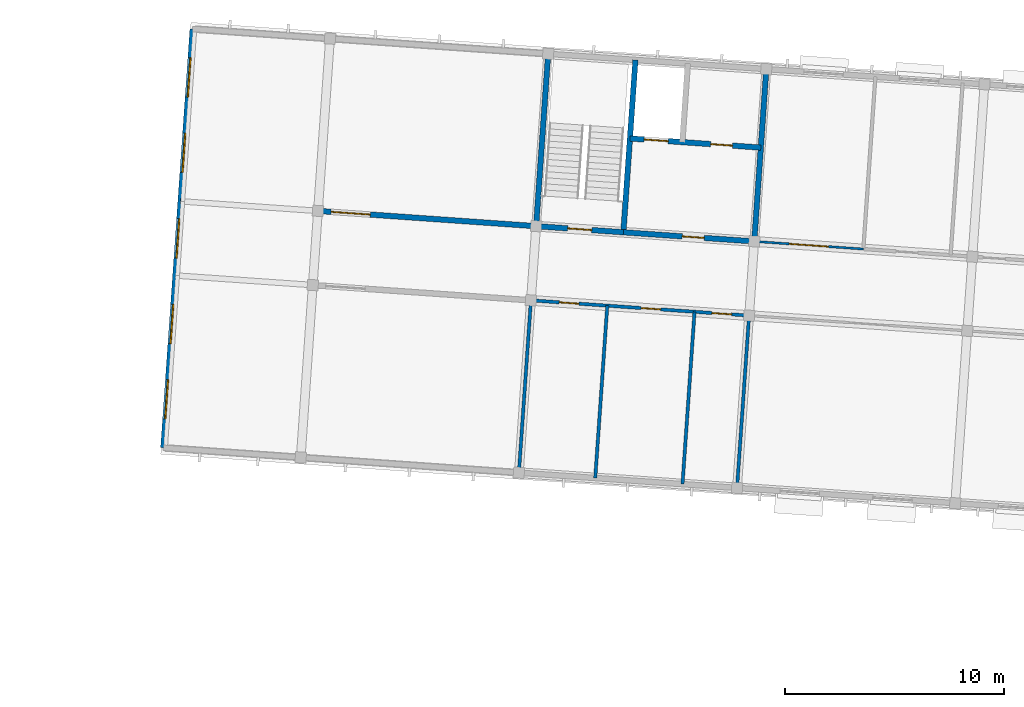
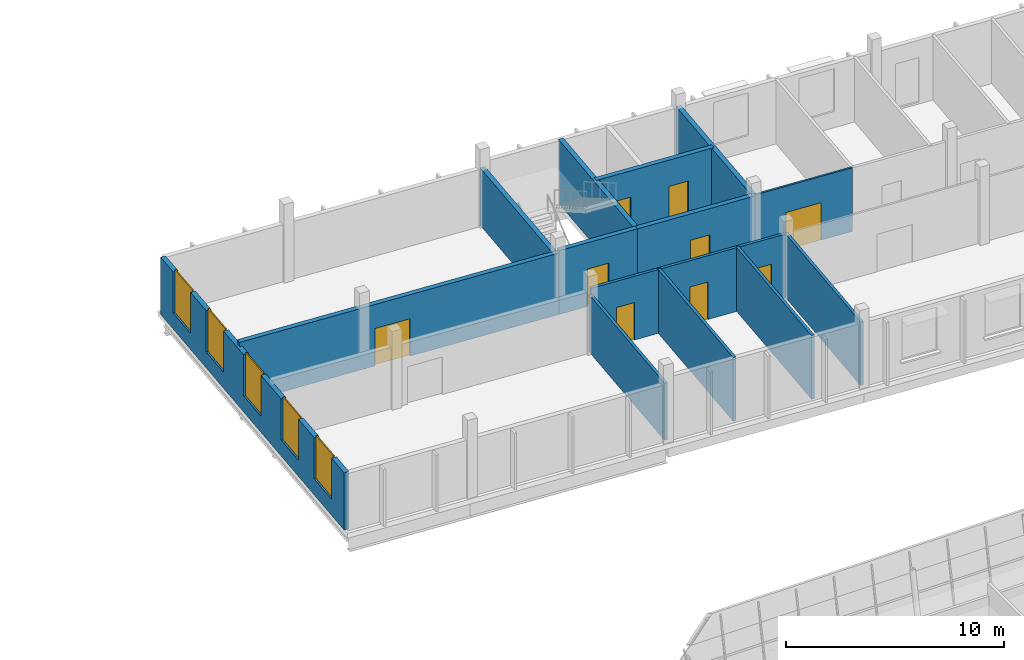
# One storey, part 54 of 95: 14 walls, 9 doors, 5 windows, 14 openings.
"""IFC4 building model written with IfcOpenShell, lengths in metres."""

from ifc_helpers import new_model, si_unit, direction, frame, frame_2d, origin, place, context, subcontext, project, spatial, rectangle, extrude, material, layer, layer_set, type_object, element, fill, save


model = new_model("IFC4")

# Units and contexts
model_context = context("Model", 3, precision=1e-05, world=origin(), true_north=direction((0.0, 1.0)))
body_context = subcontext(model_context, "Body", "Model", "MODEL_VIEW")
ifc_project = project(units=[si_unit("LENGTHUNIT", "METRE"), si_unit("AREAUNIT", "SQUARE_METRE"), si_unit("VOLUMEUNIT", "CUBIC_METRE"), si_unit("PLANEANGLEUNIT", "RADIAN"), si_unit("MASSUNIT", "GRAM", prefix="KILO")], contexts=[model_context])

# Site, building, storey
site_placement = place(None, origin())
site = spatial("IfcSite", under=ifc_project, at=site_placement, CompositionType="ELEMENT")
building_placement = place(site_placement, origin())
building = spatial("IfcBuilding", under=site, at=building_placement, Name="Windward Yard Aquatics Centre", CompositionType="ELEMENT")
storey_placement = place(building_placement, frame((0.0, 0.0, 9.39990234375)))
storey = spatial("IfcBuildingStorey", under=building, at=storey_placement, Name="L02", CompositionType="ELEMENT", Elevation=9.39990234375)

# Walls
ifc_material_1 = material(Name="Concrete C40/50", Category="concrete")
ifc_layer_1 = layer(ifc_material_1, 0.25)
ifc_layer_set_1 = layer_set([ifc_layer_1], Name="W RC core wall 250 Concrete C40/50")
wall_type_1 = type_object("IfcWallType", Name="W RC core wall 250 Concrete C40/50", PredefinedType="SOLIDWALL", material=ifc_layer_set_1)
wall_1_placement = place(storey_placement, frame((118.627197265625, 127.43994140625, 0.0), z_axis=(0.0, 0.0, 1.0), x_axis=(0.0697491702, 0.997564560947, 0.0)))
element("IfcWall", 1, at=wall_1_placement, inside=storey, type_object=wall_type_1, Name="W.WL.L02.002", PredefinedType="SOLIDWALL", context=body_context, shape_type="SweptSolid", body=[
    extrude(rectangle(XDim=7.900146484375, YDim=0.25, at=frame_2d((3.9501953125, 0.0))), origin(), (0.0, 0.0, 1.0), 3.2060546875),
])
for number, where, z_axis, x_axis, name in (
    (2, (122.617431640625, 127.160888671875, 0.0), (0.0, 0.0, 1.0), (0.0697491702, 0.997564560947, 0.0), "W.WL.L02.004"),
    (3, (128.602783203125, 126.742431640625, 0.0), (0.0, 0.0, 1.0), (0.0697491702, 0.997564560947, 0.0), "W.WL.L02.008"),
):
    element("IfcWall", number, at=place(storey_placement, frame(where, z_axis=z_axis, x_axis=x_axis)), inside=storey, type_object=wall_type_1, Name=name, PredefinedType="SOLIDWALL", context=body_context, shape_type="SweptSolid", body=[
        extrude(rectangle(XDim=7.900146484375, YDim=0.25, at=frame_2d((3.9501953125, 0.0))), origin(), (0.0, 0.0, 1.0), 3.570068359375),
    ])

# Wall, opening, door
wall_2_placement = place(storey_placement, frame((102.36669921875, 128.576904296875, 0.0), z_axis=(0.0, 0.0, 1.0), x_axis=(0.997564399877, -0.069751473811, 0.0)))
wall_2 = element("IfcWall", 4, at=wall_2_placement, inside=storey, type_object=wall_type_1, Name="W.WL.L02.024", PredefinedType="PARTITIONING", context=body_context, shape_type="SweptSolid", body=[
    extrude(rectangle(XDim=16.30029296875, YDim=0.25, at=frame_2d((8.150146484375, 0.0))), origin(), (0.0, 0.0, 1.0), 3.442138671875),
])
opening_1_placement = place(wall_2_placement, frame((6.89990234375, 0.0, 0.0)))
opening_1 = element("IfcOpeningElement", 5, at=opening_1_placement, cuts=wall_2, Name="Opening W2002", PredefinedType="OPENING", context=body_context, shape_type="SweptSolid", body=[
    extrude(rectangle(XDim=1.800048828125, YDim=2.10009765625, at=frame_2d((0.89990234375, 1.050048828125))), frame((0.0, 0.135009765625, 0.0), z_axis=(0.0, -1.0, 0.0), x_axis=(1.0, 0.0, 0.0)), (0.0, 0.0, 1.0), 0.27001953125),
])
ifc_material_2 = material(Name="Timber door leaf", Category="wood")
door_type_1 = type_object("IfcDoorType", Name="W double door 1800x2100", OperationType="DOUBLE_DOOR_SINGLE_SWING", PredefinedType="DOOR", material=ifc_material_2)
door_1_placement = place(opening_1_placement, origin())
door_1 = element("IfcDoor", 6, at=door_1_placement, inside=storey, type_object=door_type_1, Name="W.DRI.L02.002", OperationType="DOUBLE_DOOR_SINGLE_SWING", OverallHeight=2.10009765625, OverallWidth=1.800048828125, PredefinedType="DOOR", context=body_context, shape_type="SweptSolid", body=[
    extrude(rectangle(XDim=1.800048828125, YDim=2.10009765625, at=frame_2d((0.89990234375, 1.050048828125))), frame((0.0, 0.02490234375, 0.0), z_axis=(0.0, -1.0, 0.0), x_axis=(1.0, 0.0, 0.0)), (0.0, 0.0, 1.0), 0.050048828125),
])
fill(opening_1, door_1)

wall_3_placement = place(storey_placement, frame((118.627197265625, 127.43994140625, 0.0), z_axis=(0.0, 0.0, 1.0), x_axis=(0.997563556766, -0.069763530677, 0.0)))
wall_3 = element("IfcWall", 7, at=wall_3_placement, inside=storey, type_object=wall_type_1, Name="W.WL.L02.025", PredefinedType="SOLIDWALL", context=body_context, shape_type="SweptSolid", body=[
    extrude(rectangle(XDim=4.0, YDim=0.25, at=frame_2d((2.0, 0.0))), origin(), (0.0, 0.0, 1.0), 3.570068359375),
])
opening_2_placement = place(wall_3_placement, frame((1.449951171875, 0.0, 0.0)))
opening_2 = element("IfcOpeningElement", 8, at=opening_2_placement, cuts=wall_3, Name="Opening W2016", PredefinedType="OPENING", context=body_context, shape_type="SweptSolid", body=[
    extrude(rectangle(XDim=1.10009765625, YDim=2.10009765625, at=frame_2d((0.550048828125, 1.050048828125))), frame((0.0, 0.135009765625, 0.0), z_axis=(0.0, -1.0, 0.0), x_axis=(1.0, 0.0, 0.0)), (0.0, 0.0, 1.0), 0.27001953125),
])
ifc_material_3 = material(Name="Steel fire door leaf", Category="steel")
door_type_2 = type_object("IfcDoorType", Name="W stair door FD60 1100x2100", OperationType="SINGLE_SWING_LEFT", PredefinedType="DOOR", material=ifc_material_3)
door_2_placement = place(opening_2_placement, origin())
door_2 = element("IfcDoor", 9, at=door_2_placement, inside=storey, type_object=door_type_2, Name="W.DRI.L02.016", OperationType="SINGLE_SWING_RIGHT", OverallHeight=2.10009765625, OverallWidth=1.10009765625, PredefinedType="DOOR", context=body_context, shape_type="SweptSolid", body=[
    extrude(rectangle(XDim=1.10009765625, YDim=2.10009765625, at=frame_2d((0.550048828125, 1.050048828125))), frame((0.0, 0.02490234375, 0.0), z_axis=(0.0, -1.0, 0.0), x_axis=(1.0, 0.0, 0.0)), (0.0, 0.0, 1.0), 0.050048828125),
])
fill(opening_2, door_2)

wall_4_placement = place(storey_placement, frame((122.617431640625, 127.160888671875, 0.0), z_axis=(0.0, 0.0, 1.0), x_axis=(0.997564972454, -0.069743284499, 0.0)))
wall_4 = element("IfcWall", 10, at=wall_4_placement, inside=storey, type_object=wall_type_1, Name="W.WL.L02.026", PredefinedType="SOLIDWALL", context=body_context, shape_type="SweptSolid", body=[
    extrude(rectangle(XDim=6.0, YDim=0.25, at=frame_2d((3.0, 0.0))), origin(), (0.0, 0.0, 1.0), 3.570068359375),
])
opening_3_placement = place(wall_4_placement, frame((2.699951171875, 0.0, 0.0)))
opening_3 = element("IfcOpeningElement", 11, at=opening_3_placement, cuts=wall_4, Name="Opening W2017", PredefinedType="OPENING", context=body_context, shape_type="SweptSolid", body=[
    extrude(rectangle(XDim=1.0, YDim=2.10009765625, at=frame_2d((0.5, 1.050048828125))), frame((0.0, 0.135009765625, 0.0), z_axis=(0.0, -1.0, 0.0), x_axis=(1.0, 0.0, 0.0)), (0.0, 0.0, 1.0), 0.27001953125),
])
door_type_3 = type_object("IfcDoorType", Name="W fire door FD60 1000x2100", OperationType="SINGLE_SWING_LEFT", PredefinedType="DOOR", material=ifc_material_3)
door_3_placement = place(opening_3_placement, origin())
door_3 = element("IfcDoor", 12, at=door_3_placement, inside=storey, type_object=door_type_3, Name="W.DRI.L02.017", OperationType="SINGLE_SWING_LEFT", OverallHeight=2.10009765625, OverallWidth=1.0, PredefinedType="DOOR", context=body_context, shape_type="SweptSolid", body=[
    extrude(rectangle(XDim=1.0, YDim=2.10009765625, at=frame_2d((0.5, 1.050048828125))), frame((0.0, 0.02490234375, 0.0), z_axis=(0.0, -1.0, 0.0), x_axis=(1.0, 0.0, 0.0)), (0.0, 0.0, 1.0), 0.050048828125),
])
fill(opening_3, door_3)

# Wall, openings, doors
wall_5_placement = place(storey_placement, frame((122.917236328125, 131.450439453125, 0.0), z_axis=(0.0, 0.0, 1.0), x_axis=(0.997564972454, -0.069743284499, 0.0)))
wall_5 = element("IfcWall", 13, at=wall_5_placement, inside=storey, type_object=wall_type_1, Name="W.WL.L02.032", PredefinedType="SOLIDWALL", context=body_context, shape_type="SweptSolid", body=[
    extrude(rectangle(XDim=6.0, YDim=0.25, at=frame_2d((3.0, 0.0))), origin(), (0.0, 0.0, 1.0), 3.570068359375),
])
opening_4_placement = place(wall_5_placement, frame((3.699951171875, 0.0, 0.0)))
opening_4 = element("IfcOpeningElement", 14, at=opening_4_placement, cuts=wall_5, Name="Opening W2018", PredefinedType="OPENING", context=body_context, shape_type="SweptSolid", body=[
    extrude(rectangle(XDim=1.0, YDim=2.10009765625, at=frame_2d((0.5, 1.050048828125))), frame((0.0, 0.135009765625, 0.0), z_axis=(0.0, -1.0, 0.0), x_axis=(1.0, 0.0, 0.0)), (0.0, 0.0, 1.0), 0.27001953125),
])
opening_5_placement = place(wall_5_placement, frame((0.64990234375, 0.0, 0.0)))
opening_5 = element("IfcOpeningElement", 15, at=opening_5_placement, cuts=wall_5, Name="Opening W2019", PredefinedType="OPENING", context=body_context, shape_type="SweptSolid", body=[
    extrude(rectangle(XDim=1.10009765625, YDim=2.10009765625, at=frame_2d((0.550048828125, 1.050048828125))), frame((0.0, 0.135009765625, 0.0), z_axis=(0.0, -1.0, 0.0), x_axis=(1.0, 0.0, 0.0)), (0.0, 0.0, 1.0), 0.27001953125),
])
door_4_placement = place(opening_4_placement, origin())
door_4 = element("IfcDoor", 16, at=door_4_placement, inside=storey, type_object=door_type_3, Name="W.DRI.L02.018", OperationType="SINGLE_SWING_RIGHT", OverallHeight=2.10009765625, OverallWidth=1.0, PredefinedType="DOOR", context=body_context, shape_type="SweptSolid", body=[
    extrude(rectangle(XDim=1.0, YDim=2.10009765625, at=frame_2d((0.5, 1.050048828125))), frame((0.0, 0.02490234375, 0.0), z_axis=(0.0, -1.0, 0.0), x_axis=(1.0, 0.0, 0.0)), (0.0, 0.0, 1.0), 0.050048828125),
])
fill(opening_4, door_4)
ifc_material_4 = material(Name="Stainless steel sliding door leaf", Category="steel")
door_type_4 = type_object("IfcDoorType", Name="W lift landing door 1100x2100", OperationType="SLIDING_TO_LEFT", PredefinedType="DOOR", material=ifc_material_4)
door_5_placement = place(opening_5_placement, origin())
door_5 = element("IfcDoor", 17, at=door_5_placement, inside=storey, type_object=door_type_4, Name="Landing door W L02", OperationType="SLIDING_TO_LEFT", OverallHeight=2.10009765625, OverallWidth=1.10009765625, PredefinedType="DOOR", context=body_context, shape_type="SweptSolid", body=[
    extrude(rectangle(XDim=1.10009765625, YDim=2.10009765625, at=frame_2d((0.550048828125, 1.050048828125))), frame((0.0, 0.02490234375, 0.0), z_axis=(0.0, -1.0, 0.0), x_axis=(1.0, 0.0, 0.0)), (0.0, 0.0, 1.0), 0.050048828125),
])
fill(opening_5, door_5)

# Wall, openings, windows
ifc_layer_2 = layer(ifc_material_1, 0.25)
ifc_layer_set_2 = layer_set([ifc_layer_2], Name="W facade wall 250 Precast Concrete C40/50")
wall_type_2 = type_object("IfcWallType", Name="W facade wall 250 Precast Concrete C40/50", PredefinedType="SOLIDWALL", material=ifc_layer_set_2)
wall_6_placement = place(storey_placement, frame((101.57861328125, 117.3046875, 0.0), z_axis=(0.0, 0.0, 1.0), x_axis=(0.069758646115, 0.99756389835, 0.0)))
wall_6 = element("IfcWall", 18, at=wall_6_placement, inside=storey, type_object=wall_type_2, Name="W.FW.L02.W.0.4", PredefinedType="SOLIDWALL", context=body_context, shape_type="SweptSolid", body=[
    extrude(rectangle(XDim=19.199951171875, YDim=0.25, at=frame_2d((9.60009765625, 0.0))), origin(), (0.0, 0.0, 1.0), 3.2060546875),
])
opening_6_placement = place(wall_6_placement, frame((1.324951171875, 0.0, 0.89990234375)))
opening_6 = element("IfcOpeningElement", 19, at=opening_6_placement, cuts=wall_6, Name="Opening W2514", PredefinedType="OPENING", context=body_context, shape_type="SweptSolid", body=[
    extrude(rectangle(XDim=1.800048828125, YDim=2.39990234375, at=frame_2d((0.89990234375, 1.199951171875))), frame((0.0, 0.135009765625, 0.0), z_axis=(0.0, -1.0, 0.0), x_axis=(1.0, 0.0, 0.0)), (0.0, 0.0, 1.0), 0.27001953125),
])
opening_7_placement = place(wall_6_placement, frame((4.77490234375, 0.0, 0.89990234375)))
opening_7 = element("IfcOpeningElement", 20, at=opening_7_placement, cuts=wall_6, Name="Opening W2515", PredefinedType="OPENING", context=body_context, shape_type="SweptSolid", body=[
    extrude(rectangle(XDim=1.800048828125, YDim=2.39990234375, at=frame_2d((0.89990234375, 1.199951171875))), frame((0.0, 0.135009765625, 0.0), z_axis=(0.0, -1.0, 0.0), x_axis=(1.0, 0.0, 0.0)), (0.0, 0.0, 1.0), 0.27001953125),
])
opening_8_placement = place(wall_6_placement, frame((8.699951171875, 0.0, 0.89990234375)))
opening_8 = element("IfcOpeningElement", 21, at=opening_8_placement, cuts=wall_6, Name="Opening W2516", PredefinedType="OPENING", context=body_context, shape_type="SweptSolid", body=[
    extrude(rectangle(XDim=1.800048828125, YDim=2.39990234375, at=frame_2d((0.89990234375, 1.199951171875))), frame((0.0, 0.135009765625, 0.0), z_axis=(0.0, -1.0, 0.0), x_axis=(1.0, 0.0, 0.0)), (0.0, 0.0, 1.0), 0.27001953125),
])
opening_9_placement = place(wall_6_placement, frame((12.625, 0.0, 0.89990234375)))
opening_9 = element("IfcOpeningElement", 22, at=opening_9_placement, cuts=wall_6, Name="Opening W2517", PredefinedType="OPENING", context=body_context, shape_type="SweptSolid", body=[
    extrude(rectangle(XDim=1.800048828125, YDim=2.39990234375, at=frame_2d((0.89990234375, 1.199951171875))), frame((0.0, 0.135009765625, 0.0), z_axis=(0.0, -1.0, 0.0), x_axis=(1.0, 0.0, 0.0)), (0.0, 0.0, 1.0), 0.27001953125),
])
opening_10_placement = place(wall_6_placement, frame((16.074951171875, 0.0, 0.89990234375)))
opening_10 = element("IfcOpeningElement", 23, at=opening_10_placement, cuts=wall_6, Name="Opening W2518", PredefinedType="OPENING", context=body_context, shape_type="SweptSolid", body=[
    extrude(rectangle(XDim=1.800048828125, YDim=2.39990234375, at=frame_2d((0.89990234375, 1.199951171875))), frame((0.0, 0.135009765625, 0.0), z_axis=(0.0, -1.0, 0.0), x_axis=(1.0, 0.0, 0.0)), (0.0, 0.0, 1.0), 0.27001953125),
])
ifc_material_5 = material(Name="Aluminium framed glazing", Category="aluminium")
window_type = type_object("IfcWindowType", Name="W window 1800x2400", PartitioningType="SINGLE_PANEL", PredefinedType="WINDOW", material=ifc_material_5)
window_1_placement = place(opening_6_placement, origin())
window_1 = element("IfcWindow", 24, at=window_1_placement, inside=storey, type_object=window_type, Name="W.WN.L02.W2514", OverallHeight=2.39990234375, OverallWidth=1.800048828125, PartitioningType="SINGLE_PANEL", PredefinedType="WINDOW", context=body_context, shape_type="SweptSolid", body=[
    extrude(rectangle(XDim=1.800048828125, YDim=2.39990234375, at=frame_2d((0.89990234375, 1.199951171875))), frame((0.0, 0.030029296875, 0.0), z_axis=(0.0, -1.0, 0.0), x_axis=(1.0, 0.0, 0.0)), (0.0, 0.0, 1.0), 0.06005859375),
])
fill(opening_6, window_1)
window_2_placement = place(opening_7_placement, origin())
window_2 = element("IfcWindow", 25, at=window_2_placement, inside=storey, type_object=window_type, Name="W.WN.L02.W2515", OverallHeight=2.39990234375, OverallWidth=1.800048828125, PartitioningType="SINGLE_PANEL", PredefinedType="WINDOW", context=body_context, shape_type="SweptSolid", body=[
    extrude(rectangle(XDim=1.800048828125, YDim=2.39990234375, at=frame_2d((0.89990234375, 1.199951171875))), frame((0.0, 0.030029296875, 0.0), z_axis=(0.0, -1.0, 0.0), x_axis=(1.0, 0.0, 0.0)), (0.0, 0.0, 1.0), 0.06005859375),
])
fill(opening_7, window_2)
window_3_placement = place(opening_8_placement, origin())
window_3 = element("IfcWindow", 26, at=window_3_placement, inside=storey, type_object=window_type, Name="W.WN.L02.W2516", OverallHeight=2.39990234375, OverallWidth=1.800048828125, PartitioningType="SINGLE_PANEL", PredefinedType="WINDOW", context=body_context, shape_type="SweptSolid", body=[
    extrude(rectangle(XDim=1.800048828125, YDim=2.39990234375, at=frame_2d((0.89990234375, 1.199951171875))), frame((0.0, 0.030029296875, 0.0), z_axis=(0.0, -1.0, 0.0), x_axis=(1.0, 0.0, 0.0)), (0.0, 0.0, 1.0), 0.06005859375),
])
fill(opening_8, window_3)
window_4_placement = place(opening_9_placement, origin())
window_4 = element("IfcWindow", 27, at=window_4_placement, inside=storey, type_object=window_type, Name="W.WN.L02.W2517", OverallHeight=2.39990234375, OverallWidth=1.800048828125, PartitioningType="SINGLE_PANEL", PredefinedType="WINDOW", context=body_context, shape_type="SweptSolid", body=[
    extrude(rectangle(XDim=1.800048828125, YDim=2.39990234375, at=frame_2d((0.89990234375, 1.199951171875))), frame((0.0, 0.030029296875, 0.0), z_axis=(0.0, -1.0, 0.0), x_axis=(1.0, 0.0, 0.0)), (0.0, 0.0, 1.0), 0.06005859375),
])
fill(opening_9, window_4)
window_5_placement = place(opening_10_placement, origin())
window_5 = element("IfcWindow", 28, at=window_5_placement, inside=storey, type_object=window_type, Name="W.WN.L02.W2518", OverallHeight=2.39990234375, OverallWidth=1.800048828125, PartitioningType="SINGLE_PANEL", PredefinedType="WINDOW", context=body_context, shape_type="SweptSolid", body=[
    extrude(rectangle(XDim=1.800048828125, YDim=2.39990234375, at=frame_2d((0.89990234375, 1.199951171875))), frame((0.0, 0.030029296875, 0.0), z_axis=(0.0, -1.0, 0.0), x_axis=(1.0, 0.0, 0.0)), (0.0, 0.0, 1.0), 0.06005859375),
])
fill(opening_10, window_5)

# Wall, opening, door
ifc_material_6 = material(Name="Plasterboard on steel stud partition", Category="steel")
ifc_layer_3 = layer(ifc_material_6, 0.10009765625)
ifc_layer_set_3 = layer_set([ifc_layer_3], Name="W partition 100")
wall_type_3 = type_object("IfcWallType", Name="W partition 100", PredefinedType="PARTITIONING", material=ifc_layer_set_3)
wall_7_placement = place(storey_placement, frame((128.602783203125, 126.742431640625, 0.0), z_axis=(0.0, 0.0, 1.0), x_axis=(0.997566104712, -0.069727087495, 0.0)))
wall_7 = element("IfcWall", 29, at=wall_7_placement, inside=storey, type_object=wall_type_3, Name="W.WL.L02.027", PredefinedType="PARTITIONING", context=body_context, shape_type="SweptSolid", body=[
    extrude(rectangle(XDim=5.0, YDim=0.10009765625, at=frame_2d((2.5, 0.0))), origin(), (0.0, 0.0, 1.0), 3.570068359375),
])
opening_11_placement = place(wall_7_placement, frame((1.60009765625, 0.0, 0.0)))
opening_11 = element("IfcOpeningElement", 30, at=opening_11_placement, cuts=wall_7, Name="Opening W2007", PredefinedType="OPENING", context=body_context, shape_type="SweptSolid", body=[
    extrude(rectangle(XDim=1.800048828125, YDim=2.10009765625, at=frame_2d((0.89990234375, 1.050048828125))), frame((0.0, 0.06005859375, 0.0), z_axis=(0.0, -1.0, 0.0), x_axis=(1.0, 0.0, 0.0)), (0.0, 0.0, 1.0), 0.1201171875),
])
door_6_placement = place(opening_11_placement, origin())
door_6 = element("IfcDoor", 31, at=door_6_placement, inside=storey, type_object=door_type_1, Name="W.DRI.L02.007", OperationType="DOUBLE_DOOR_SINGLE_SWING", OverallHeight=2.10009765625, OverallWidth=1.800048828125, PredefinedType="DOOR", context=body_context, shape_type="SweptSolid", body=[
    extrude(rectangle(XDim=1.800048828125, YDim=2.10009765625, at=frame_2d((0.89990234375, 1.050048828125))), frame((0.0, 0.02490234375, 0.0), z_axis=(0.0, -1.0, 0.0), x_axis=(1.0, 0.0, 0.0)), (0.0, 0.0, 1.0), 0.050048828125),
])
fill(opening_11, door_6)

# Walls
ifc_material_7 = material(Name="Blockwork partition with tiled finish", Category="masonry")
ifc_layer_4 = layer(ifc_material_7, 0.14990234375)
ifc_layer_set_4 = layer_set([ifc_layer_4], Name="W partition 150 wet area")
wall_type_4 = type_object("IfcWallType", Name="W partition 150 wet area", PredefinedType="PARTITIONING", material=ifc_layer_set_4)
wall_8_placement = place(storey_placement, frame((117.8388671875, 116.16748046875, 0.0), z_axis=(0.0, 0.0, 1.0), x_axis=(0.0697491702, 0.997564560947, 0.0)))
element("IfcWall", 32, at=wall_8_placement, inside=storey, type_object=wall_type_4, Name="W.WL.L02.001", PredefinedType="PARTITIONING", context=body_context, shape_type="SweptSolid", body=[
    extrude(rectangle(XDim=7.900146484375, YDim=0.14990234375, at=frame_2d((3.9501953125, 0.0))), origin(), (0.0, 0.0, 1.0), 3.2060546875),
])
for number, where, z_axis, x_axis, name in (
    (33, (121.330322265625, 115.92333984375, 0.0), (0.0, 0.0, 1.0), (0.0697491702, 0.997564560947, 0.0), "W.WL.L02.003"),
    (34, (125.320556640625, 115.644287109375, 0.0), (0.0, 0.0, 1.0), (0.0697491702, 0.997564560947, 0.0), "W.WL.L02.006"),
):
    element("IfcWall", number, at=place(storey_placement, frame(where, z_axis=z_axis, x_axis=x_axis)), inside=storey, type_object=wall_type_4, Name=name, PredefinedType="PARTITIONING", context=body_context, shape_type="SweptSolid", body=[
        extrude(rectangle(XDim=7.900146484375, YDim=0.14990234375, at=frame_2d((3.9501953125, 0.0))), origin(), (0.0, 0.0, 1.0), 3.570068359375),
    ])
wall_9_placement = place(storey_placement, frame((127.814453125, 115.469970703125, 0.0), z_axis=(0.0, 0.0, 1.0), x_axis=(0.069751320509, 0.997564410596, 0.0)))
element("IfcWall", 35, at=wall_9_placement, inside=storey, type_object=wall_type_4, Name="W.WL.L02.007", PredefinedType="PARTITIONING", context=body_context, shape_type="SweptSolid", body=[
    extrude(rectangle(XDim=7.89990234375, YDim=0.14990234375, at=frame_2d((3.949951171875, 0.0))), origin(), (0.0, 0.0, 1.0), 3.570068359375),
])

# Wall, openings, doors
wall_10_placement = place(storey_placement, frame((118.389892578125, 124.04833984375, 0.0), z_axis=(0.0, 0.0, 1.0), x_axis=(0.997562707158, -0.069775678342, 0.0)))
wall_10 = element("IfcWall", 36, at=wall_10_placement, inside=storey, type_object=wall_type_4, Name="W.WL.L02.021", PredefinedType="PARTITIONING", context=body_context, shape_type="SweptSolid", body=[
    extrude(rectangle(XDim=10.0, YDim=0.14990234375, at=frame_2d((5.0, 0.0))), origin(), (0.0, 0.0, 1.0), 3.570068359375),
])
opening_12_placement = place(wall_10_placement, frame((1.300048828125, 0.0, 0.0)))
opening_12 = element("IfcOpeningElement", 37, at=opening_12_placement, cuts=wall_10, Name="Opening W2003", PredefinedType="OPENING", context=body_context, shape_type="SweptSolid", body=[
    extrude(rectangle(XDim=0.89990234375, YDim=2.10009765625, at=frame_2d((0.449951171875, 1.050048828125))), frame((0.0, 0.0849609375, 0.0), z_axis=(0.0, -1.0, 0.0), x_axis=(1.0, 0.0, 0.0)), (0.0, 0.0, 1.0), 0.169921875),
])
opening_13_placement = place(wall_10_placement, frame((5.050048828125, 0.0, 0.0)))
opening_13 = element("IfcOpeningElement", 38, at=opening_13_placement, cuts=wall_10, Name="Opening W2004", PredefinedType="OPENING", context=body_context, shape_type="SweptSolid", body=[
    extrude(rectangle(XDim=0.89990234375, YDim=2.10009765625, at=frame_2d((0.449951171875, 1.050048828125))), frame((0.0, 0.0849609375, 0.0), z_axis=(0.0, -1.0, 0.0), x_axis=(1.0, 0.0, 0.0)), (0.0, 0.0, 1.0), 0.169921875),
])
opening_14_placement = place(wall_10_placement, frame((8.300048828125, 0.0, 0.0)))
opening_14 = element("IfcOpeningElement", 39, at=opening_14_placement, cuts=wall_10, Name="Opening W2005", PredefinedType="OPENING", context=body_context, shape_type="SweptSolid", body=[
    extrude(rectangle(XDim=0.89990234375, YDim=2.10009765625, at=frame_2d((0.449951171875, 1.050048828125))), frame((0.0, 0.0849609375, 0.0), z_axis=(0.0, -1.0, 0.0), x_axis=(1.0, 0.0, 0.0)), (0.0, 0.0, 1.0), 0.169921875),
])
door_type_5 = type_object("IfcDoorType", Name="W door 900x2100", OperationType="SINGLE_SWING_LEFT", PredefinedType="DOOR", material=ifc_material_2)
door_7_placement = place(opening_12_placement, origin())
door_7 = element("IfcDoor", 40, at=door_7_placement, inside=storey, type_object=door_type_5, Name="W.DRI.L02.003", OperationType="SINGLE_SWING_RIGHT", OverallHeight=2.10009765625, OverallWidth=0.89990234375, PredefinedType="DOOR", context=body_context, shape_type="SweptSolid", body=[
    extrude(rectangle(XDim=0.89990234375, YDim=2.10009765625, at=frame_2d((0.449951171875, 1.050048828125))), frame((0.0, 0.02490234375, 0.0), z_axis=(0.0, -1.0, 0.0), x_axis=(1.0, 0.0, 0.0)), (0.0, 0.0, 1.0), 0.050048828125),
])
fill(opening_12, door_7)
door_8_placement = place(opening_13_placement, origin())
door_8 = element("IfcDoor", 41, at=door_8_placement, inside=storey, type_object=door_type_5, Name="W.DRI.L02.004", OperationType="SINGLE_SWING_LEFT", OverallHeight=2.10009765625, OverallWidth=0.89990234375, PredefinedType="DOOR", context=body_context, shape_type="SweptSolid", body=[
    extrude(rectangle(XDim=0.89990234375, YDim=2.10009765625, at=frame_2d((0.449951171875, 1.050048828125))), frame((0.0, 0.02490234375, 0.0), z_axis=(0.0, -1.0, 0.0), x_axis=(1.0, 0.0, 0.0)), (0.0, 0.0, 1.0), 0.050048828125),
])
fill(opening_13, door_8)
door_9_placement = place(opening_14_placement, origin())
door_9 = element("IfcDoor", 42, at=door_9_placement, inside=storey, type_object=door_type_5, Name="W.DRI.L02.005", OperationType="SINGLE_SWING_RIGHT", OverallHeight=2.10009765625, OverallWidth=0.89990234375, PredefinedType="DOOR", context=body_context, shape_type="SweptSolid", body=[
    extrude(rectangle(XDim=0.89990234375, YDim=2.10009765625, at=frame_2d((0.449951171875, 1.050048828125))), frame((0.0, 0.02490234375, 0.0), z_axis=(0.0, -1.0, 0.0), x_axis=(1.0, 0.0, 0.0)), (0.0, 0.0, 1.0), 0.050048828125),
])
fill(opening_14, door_9)

save(model, "model.ifc")
